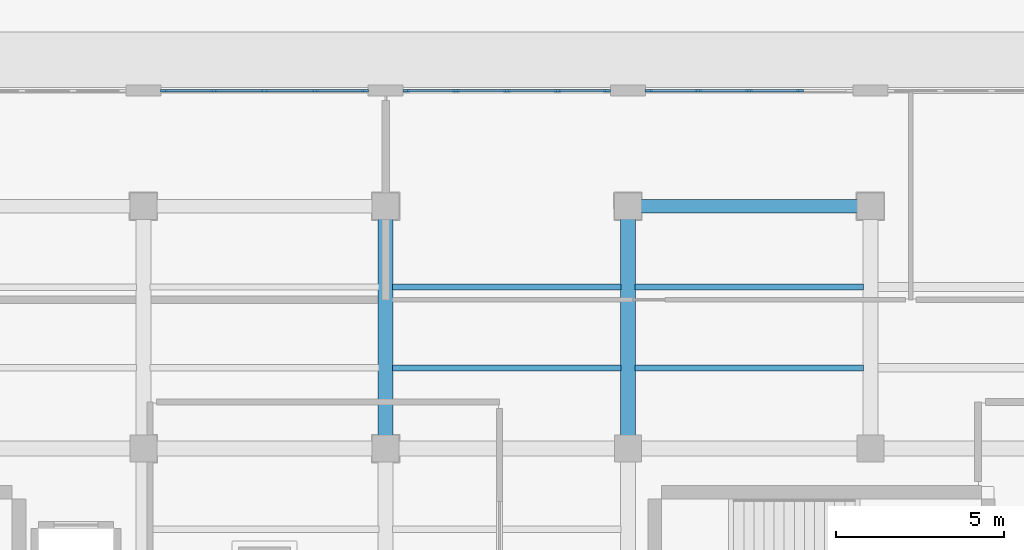
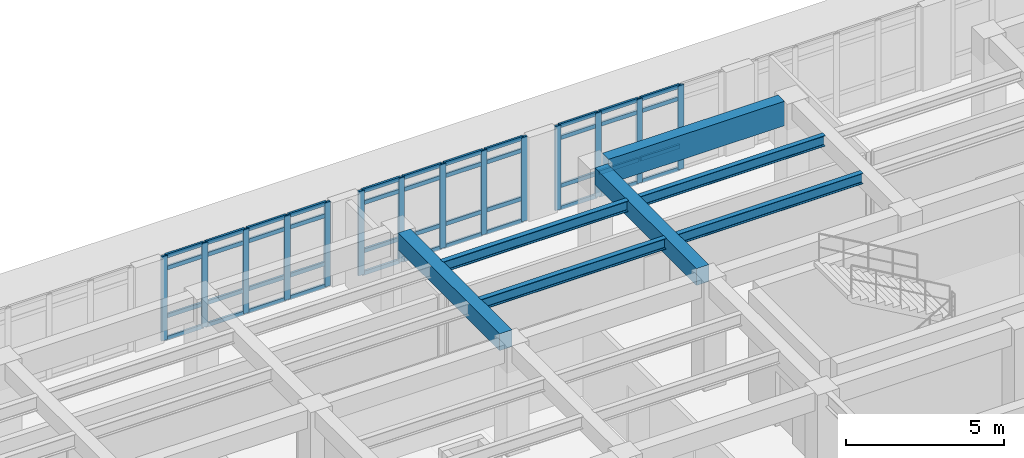
# One storey, part 8 of 67: 58 members, 7 beams, 3 elements without a shape of their own.
"""IFC4 building model written with IfcOpenShell, lengths in metres."""

from ifc_helpers import new_model, si_unit, direction, frame, origin, origin_2d, place, context, subcontext, project, spatial, rectangle, i_section, extrude, material, layer, layer_set, material_profile, profile_set, type_object, element, aggregate, save


model = new_model("IFC4")

# Units and contexts
model_context = context("Model", 3, precision=1e-05, world=origin(), true_north=direction((0.0, 1.0)))
body_context = subcontext(model_context, "Body", "Model", "MODEL_VIEW")
ifc_project = project(units=[si_unit("LENGTHUNIT", "METRE"), si_unit("AREAUNIT", "SQUARE_METRE"), si_unit("VOLUMEUNIT", "CUBIC_METRE"), si_unit("PLANEANGLEUNIT", "RADIAN"), si_unit("MASSUNIT", "GRAM", prefix="KILO")], contexts=[model_context])

# Site, building, storey
site_placement = place(None, origin())
site = spatial("IfcSite", under=ifc_project, at=site_placement, CompositionType="ELEMENT")
building_placement = place(site_placement, origin())
building = spatial("IfcBuilding", under=site, at=building_placement, Name="Solenvale Faculty of Natural Sciences", CompositionType="ELEMENT")
storey_placement = place(building_placement, frame((0.0, 0.0, 13.5)))
storey = spatial("IfcBuildingStorey", under=building, at=storey_placement, Name="L03", CompositionType="ELEMENT", Elevation=13.5)

# Beams
ifc_material_1 = material(Name="Concrete 40 MPa", Category="concrete")
ifc_material_profile_1 = material_profile(ifc_material_1, rectangle(XDim=0.449951171875, YDim=0.64990234375, at=origin_2d()), Name="RC-BM-450x650")
ifc_profile_set_1 = profile_set([ifc_material_profile_1], Name="Concrete 40 MPa")
beam_type_1 = type_object("IfcBeamType", Name="BM-RC-450x650", PredefinedType="BEAM", material=ifc_profile_set_1)
for number, where, z_axis, x_axis, name in (
    (1, (86.39990234375, 29.179931640625, 3.89501953125), (0.0, 1.0, 0.0), (-1.0, 0.0, 0.0), "L03 Y-Girder X86.4 (28.8..36.0)"),
    (2, (93.60009765625, 29.179931640625, 3.89501953125), (0.0, 1.0, 0.0), (-1.0, 0.0, 0.0), "L03 Y-Girder X93.6 (28.8..36.0)"),
):
    element("IfcBeam", number, at=place(storey_placement, frame(where, z_axis=z_axis, x_axis=x_axis)), inside=storey, type_object=beam_type_1, Name=name, PredefinedType="BEAM", context=body_context, shape_type="SweptSolid", body=[
        extrude(rectangle(XDim=0.449951171875, YDim=0.64990234375, at=origin_2d()), origin(), (0.0, 0.0, 1.0), 6.440185546875),
    ])
ifc_material_2 = material(Name="Architectural bronze concrete 40 MPa", Category="concrete")
ifc_material_profile_2 = material_profile(ifc_material_2, rectangle(XDim=0.39990234375, YDim=0.949951171875, at=origin_2d()), Name="RC-SPN-400x950")
ifc_profile_set_2 = profile_set([ifc_material_profile_2], Name="Architectural bronze concrete 40 MPa")
beam_type_2 = type_object("IfcBeamType", Name="BM-SPN-BRZ-950", PredefinedType="SPANDREL", material=ifc_profile_set_2)
beam_placement = place(storey_placement, frame((93.97998046875, 36.0, 3.7451171875), z_axis=(1.0, 0.0, 0.0), x_axis=(0.0, 1.0, 0.0)))
element("IfcBeam", 3, at=beam_placement, inside=storey, type_object=beam_type_2, Name="L04 Sliding-Tray North Bronze Fascia 6", PredefinedType="SPANDREL", context=body_context, shape_type="SweptSolid", body=[
    extrude(rectangle(XDim=0.39990234375, YDim=0.949951171875, at=origin_2d()), origin(), (0.0, 0.0, 1.0), 6.43994140625),
])
ifc_material_3 = material(Name="Steel S355", Category="steel")
ifc_material_profile_3 = material_profile(ifc_material_3, i_section(OverallWidth=0.178955078125, OverallDepth=0.409912109375, WebThickness=0.0087890625, FlangeThickness=0.014404296875, FilletRadius=0.01611328125, at=origin_2d()), Name="W410x67")
ifc_profile_set_3 = profile_set([ifc_material_profile_3], Name="Steel S355")
beam_type_3 = type_object("IfcBeamType", Name="BM-STL-W410x67", PredefinedType="JOIST", material=ifc_profile_set_3)
for number, where, z_axis, x_axis, name in (
    (4, (93.804931640625, 31.199951171875, 4.014892578125), (1.0, 0.0, 0.0), (0.0, 1.0, 0.0), "L03 Composite Floor Joist (14,5).1"),
    (5, (93.804931640625, 33.60009765625, 4.014892578125), (1.0, 0.0, 0.0), (0.0, 1.0, 0.0), "L03 Composite Floor Joist (14,5).2"),
):
    element("IfcBeam", number, at=place(storey_placement, frame(where, z_axis=z_axis, x_axis=x_axis)), inside=storey, type_object=beam_type_3, Name=name, PredefinedType="JOIST", context=body_context, shape_type="SweptSolid", body=[
        extrude(i_section(OverallWidth=0.178955078125, OverallDepth=0.409912109375, WebThickness=0.0087890625, FlangeThickness=0.014404296875, FilletRadius=0.01611328125, at=origin_2d()), origin(), (0.0, 0.0, 1.0), 6.7900390625),
    ])
ifc_material_profile_4 = material_profile(ifc_material_3, i_section(OverallWidth=0.180908203125, OverallDepth=0.4169921875, WebThickness=0.010986328125, FlangeThickness=0.018310546875, FilletRadius=0.01611328125, at=origin_2d()), Name="W410x85")
ifc_profile_set_4 = profile_set([ifc_material_profile_4], Name="Steel S355")
beam_type_4 = type_object("IfcBeamType", Name="BM-STL-W410x85", PredefinedType="JOIST", material=ifc_profile_set_4)
for number, where, z_axis, x_axis, name in (
    (6, (86.60498046875, 31.199951171875, 4.011474609375), (1.0, 0.0, 0.0), (0.0, 1.0, 0.0), "L03 Composite Floor Joist (13,5).1"),
    (7, (86.60498046875, 33.60009765625, 4.011474609375), (1.0, 0.0, 0.0), (0.0, 1.0, 0.0), "L03 Composite Floor Joist (13,5).2"),
):
    element("IfcBeam", number, at=place(storey_placement, frame(where, z_axis=z_axis, x_axis=x_axis)), inside=storey, type_object=beam_type_4, Name=name, PredefinedType="JOIST", context=body_context, shape_type="SweptSolid", body=[
        extrude(i_section(OverallWidth=0.180908203125, OverallDepth=0.4169921875, WebThickness=0.010986328125, FlangeThickness=0.018310546875, FilletRadius=0.01611328125, at=origin_2d()), origin(), (0.0, 0.0, 1.0), 6.7900390625),
    ])

# Curtain wall, members
ifc_material_4 = material(Name="Anodised bronze aluminium", Category="aluminium")
ifc_layer = layer(ifc_material_4, 0.18994140625)
ifc_layer_set = layer_set([ifc_layer], Name="Anodised bronze aluminium")
curtain_wall_type = type_object("IfcCurtainWallType", Name="CW-TRAY-REC", PredefinedType="USERDEFINED", material=ifc_layer_set)
curtain_wall_1_placement = place(storey_placement, origin())
curtain_wall_1 = element("IfcCurtainWall", 8, at=curtain_wall_1_placement, inside=storey, type_object=curtain_wall_type, Name="L03 Curtain Wall CW-L03-P1-E8-B3", ObjectType="UNITISED CURTAIN WALL", PredefinedType="USERDEFINED")
ifc_material_profile_5 = material_profile(ifc_material_4, rectangle(XDim=0.074951171875, YDim=0.2099609375, at=origin_2d()), Name="ALU-MUL-75x210")
ifc_profile_set_5 = profile_set([ifc_material_profile_5], Name="Anodised bronze aluminium")
member_type_1 = type_object("IfcMemberType", Name="CWM-ALU-75x210", PredefinedType="MULLION", material=ifc_profile_set_5)
member_1_placement = place(storey_placement, frame((98.7099609375, 39.4375, 0.0), z_axis=(0.0, 0.0, 1.0), x_axis=(0.0, -1.0, 0.0)))
member_1 = element("IfcMember", 9, at=member_1_placement, type_object=member_type_1, Name="CW-02 mullion 2", PredefinedType="MULLION", context=body_context, shape_type="SweptSolid", body=[
    extrude(rectangle(XDim=0.074951171875, YDim=0.2099609375, at=origin_2d()), origin(), (0.0, 0.0, 1.0), 3.260009765625),
])
member_2_placement = place(storey_placement, frame((97.199951171875, 39.4375, 0.0), z_axis=(0.0, 0.0, 1.0), x_axis=(0.0, -1.0, 0.0)))
member_2 = element("IfcMember", 10, at=member_2_placement, type_object=member_type_1, Name="CW-02 mullion 3", PredefinedType="MULLION", context=body_context, shape_type="SweptSolid", body=[
    extrude(rectangle(XDim=0.074951171875, YDim=0.2099609375, at=origin_2d()), origin(), (0.0, 0.0, 1.0), 3.260009765625),
])
member_3_placement = place(storey_placement, frame((95.68994140625, 39.4375, 0.0), z_axis=(0.0, 0.0, 1.0), x_axis=(0.0, -1.0, 0.0)))
member_3 = element("IfcMember", 11, at=member_3_placement, type_object=member_type_1, Name="CW-02 mullion 4", PredefinedType="MULLION", context=body_context, shape_type="SweptSolid", body=[
    extrude(rectangle(XDim=0.074951171875, YDim=0.2099609375, at=origin_2d()), origin(), (0.0, 0.0, 1.0), 3.260009765625),
])
member_4_placement = place(storey_placement, frame((94.217529296875, 39.4375, 0.0), z_axis=(0.0, 0.0, 1.0), x_axis=(0.0, -1.0, 0.0)))
member_4 = element("IfcMember", 12, at=member_4_placement, type_object=member_type_1, Name="CW-02 mullion 5", PredefinedType="MULLION", context=body_context, shape_type="SweptSolid", body=[
    extrude(rectangle(XDim=0.074951171875, YDim=0.2099609375, at=origin_2d()), origin(), (0.0, 0.0, 1.0), 3.260009765625),
])

curtain_wall_2_placement = place(storey_placement, origin())
curtain_wall_2 = element("IfcCurtainWall", 13, at=curtain_wall_2_placement, inside=storey, type_object=curtain_wall_type, Name="L03 Curtain Wall CW-L03-P1-E8-B4", ObjectType="UNITISED CURTAIN WALL", PredefinedType="USERDEFINED")
member_5_placement = place(storey_placement, frame((92.982421875, 39.4375, 0.0), z_axis=(0.0, 0.0, 1.0), x_axis=(0.0, -1.0, 0.0)))
member_5 = element("IfcMember", 14, at=member_5_placement, type_object=member_type_1, Name="CW-02 mullion 1", PredefinedType="MULLION", context=body_context, shape_type="SweptSolid", body=[
    extrude(rectangle(XDim=0.074951171875, YDim=0.2099609375, at=origin_2d()), origin(), (0.0, 0.0, 1.0), 3.260009765625),
])
member_6_placement = place(storey_placement, frame((91.510009765625, 39.4375, 0.0), z_axis=(0.0, 0.0, 1.0), x_axis=(0.0, -1.0, 0.0)))
member_6 = element("IfcMember", 15, at=member_6_placement, type_object=member_type_1, Name="CW-02 mullion 2", PredefinedType="MULLION", context=body_context, shape_type="SweptSolid", body=[
    extrude(rectangle(XDim=0.074951171875, YDim=0.2099609375, at=origin_2d()), origin(), (0.0, 0.0, 1.0), 3.260009765625),
])
member_7_placement = place(storey_placement, frame((90.0, 39.4375, 0.0), z_axis=(0.0, 0.0, 1.0), x_axis=(0.0, -1.0, 0.0)))
member_7 = element("IfcMember", 16, at=member_7_placement, type_object=member_type_1, Name="CW-02 mullion 3", PredefinedType="MULLION", context=body_context, shape_type="SweptSolid", body=[
    extrude(rectangle(XDim=0.074951171875, YDim=0.2099609375, at=origin_2d()), origin(), (0.0, 0.0, 1.0), 3.260009765625),
])
member_8_placement = place(storey_placement, frame((88.489990234375, 39.4375, 0.0), z_axis=(0.0, 0.0, 1.0), x_axis=(0.0, -1.0, 0.0)))
member_8 = element("IfcMember", 17, at=member_8_placement, type_object=member_type_1, Name="CW-02 mullion 4", PredefinedType="MULLION", context=body_context, shape_type="SweptSolid", body=[
    extrude(rectangle(XDim=0.074951171875, YDim=0.2099609375, at=origin_2d()), origin(), (0.0, 0.0, 1.0), 3.260009765625),
])
member_9_placement = place(storey_placement, frame((87.017578125, 39.4375, 0.0), z_axis=(0.0, 0.0, 1.0), x_axis=(0.0, -1.0, 0.0)))
member_9 = element("IfcMember", 18, at=member_9_placement, type_object=member_type_1, Name="CW-02 mullion 5", PredefinedType="MULLION", context=body_context, shape_type="SweptSolid", body=[
    extrude(rectangle(XDim=0.074951171875, YDim=0.2099609375, at=origin_2d()), origin(), (0.0, 0.0, 1.0), 3.260009765625),
])

curtain_wall_3_placement = place(storey_placement, origin())
curtain_wall_3 = element("IfcCurtainWall", 19, at=curtain_wall_3_placement, inside=storey, type_object=curtain_wall_type, Name="L03 Curtain Wall CW-L03-P1-E8-B5", ObjectType="UNITISED CURTAIN WALL", PredefinedType="USERDEFINED")
member_10_placement = place(storey_placement, frame((85.782470703125, 39.4375, 0.0), z_axis=(0.0, 0.0, 1.0), x_axis=(0.0, -1.0, 0.0)))
member_10 = element("IfcMember", 20, at=member_10_placement, type_object=member_type_1, Name="CW-02 mullion 1", PredefinedType="MULLION", context=body_context, shape_type="SweptSolid", body=[
    extrude(rectangle(XDim=0.074951171875, YDim=0.2099609375, at=origin_2d()), origin(), (0.0, 0.0, 1.0), 3.260009765625),
])
member_11_placement = place(storey_placement, frame((84.31005859375, 39.4375, 0.0), z_axis=(0.0, 0.0, 1.0), x_axis=(0.0, -1.0, 0.0)))
member_11 = element("IfcMember", 21, at=member_11_placement, type_object=member_type_1, Name="CW-02 mullion 2", PredefinedType="MULLION", context=body_context, shape_type="SweptSolid", body=[
    extrude(rectangle(XDim=0.074951171875, YDim=0.2099609375, at=origin_2d()), origin(), (0.0, 0.0, 1.0), 3.260009765625),
])
member_12_placement = place(storey_placement, frame((82.800048828125, 39.4375, 0.0), z_axis=(0.0, 0.0, 1.0), x_axis=(0.0, -1.0, 0.0)))
member_12 = element("IfcMember", 22, at=member_12_placement, type_object=member_type_1, Name="CW-02 mullion 3", PredefinedType="MULLION", context=body_context, shape_type="SweptSolid", body=[
    extrude(rectangle(XDim=0.074951171875, YDim=0.2099609375, at=origin_2d()), origin(), (0.0, 0.0, 1.0), 3.260009765625),
])
member_13_placement = place(storey_placement, frame((81.2900390625, 39.4375, 0.0), z_axis=(0.0, 0.0, 1.0), x_axis=(0.0, -1.0, 0.0)))
member_13 = element("IfcMember", 23, at=member_13_placement, type_object=member_type_1, Name="CW-02 mullion 4", PredefinedType="MULLION", context=body_context, shape_type="SweptSolid", body=[
    extrude(rectangle(XDim=0.074951171875, YDim=0.2099609375, at=origin_2d()), origin(), (0.0, 0.0, 1.0), 3.260009765625),
])
member_14_placement = place(storey_placement, frame((79.8173828125, 39.4375, 0.0), z_axis=(0.0, 0.0, 1.0), x_axis=(0.0, -1.0, 0.0)))
member_14 = element("IfcMember", 24, at=member_14_placement, type_object=member_type_1, Name="CW-02 mullion 5", PredefinedType="MULLION", context=body_context, shape_type="SweptSolid", body=[
    extrude(rectangle(XDim=0.074951171875, YDim=0.2099609375, at=origin_2d()), origin(), (0.0, 0.0, 1.0), 3.260009765625),
])

# Member
ifc_material_profile_6 = material_profile(ifc_material_4, rectangle(XDim=0.074951171875, YDim=0.155029296875, at=origin_2d()), Name="ALU-TRN-75x155")
ifc_profile_set_6 = profile_set([ifc_material_profile_6], Name="Anodised bronze aluminium")
member_type_2 = type_object("IfcMemberType", Name="CWT-ALU-75x155", PredefinedType="USERDEFINED", material=ifc_profile_set_6)
member_15_placement = place(storey_placement, frame((98.672607421875, 39.4375, 0.03759765625), z_axis=(-1.0, 0.0, 0.0), x_axis=(0.0, -1.0, 0.0)))
member_15 = element("IfcMember", 25, at=member_15_placement, type_object=member_type_2, Name="CW-02 transom 2.1", ObjectType="TRANSOM", PredefinedType="USERDEFINED", context=body_context, shape_type="SweptSolid", body=[
    extrude(rectangle(XDim=0.074951171875, YDim=0.155029296875, at=origin_2d()), origin(), (0.0, 0.0, 1.0), 1.43505859375),
])

member_16_placement = place(storey_placement, frame((98.672607421875, 39.4375, 0.89990234375), z_axis=(-1.0, 0.0, 0.0), x_axis=(0.0, -1.0, 0.0)))
member_16 = element("IfcMember", 26, at=member_16_placement, type_object=member_type_2, Name="CW-02 transom 2.2", ObjectType="TRANSOM", PredefinedType="USERDEFINED", context=body_context, shape_type="SweptSolid", body=[
    extrude(rectangle(XDim=0.074951171875, YDim=0.155029296875, at=origin_2d()), origin(), (0.0, 0.0, 1.0), 1.43505859375),
])

member_17_placement = place(storey_placement, frame((98.672607421875, 39.4375, 2.760009765625), z_axis=(-1.0, 0.0, 0.0), x_axis=(0.0, -1.0, 0.0)))
member_17 = element("IfcMember", 27, at=member_17_placement, type_object=member_type_2, Name="CW-02 transom 2.3", ObjectType="TRANSOM", PredefinedType="USERDEFINED", context=body_context, shape_type="SweptSolid", body=[
    extrude(rectangle(XDim=0.074951171875, YDim=0.155029296875, at=origin_2d()), origin(), (0.0, 0.0, 1.0), 1.43505859375),
])

member_18_placement = place(storey_placement, frame((98.672607421875, 39.4375, 3.222412109375), z_axis=(-1.0, 0.0, 0.0), x_axis=(0.0, -1.0, 0.0)))
member_18 = element("IfcMember", 28, at=member_18_placement, type_object=member_type_2, Name="CW-02 transom 2.4", ObjectType="TRANSOM", PredefinedType="USERDEFINED", context=body_context, shape_type="SweptSolid", body=[
    extrude(rectangle(XDim=0.074951171875, YDim=0.155029296875, at=origin_2d()), origin(), (0.0, 0.0, 1.0), 1.43505859375),
])

member_19_placement = place(storey_placement, frame((97.16259765625, 39.4375, 0.03759765625), z_axis=(-1.0, 0.0, 0.0), x_axis=(0.0, -1.0, 0.0)))
member_19 = element("IfcMember", 29, at=member_19_placement, type_object=member_type_2, Name="CW-02 transom 3.1", ObjectType="TRANSOM", PredefinedType="USERDEFINED", context=body_context, shape_type="SweptSolid", body=[
    extrude(rectangle(XDim=0.074951171875, YDim=0.155029296875, at=origin_2d()), origin(), (0.0, 0.0, 1.0), 1.43505859375),
])

member_20_placement = place(storey_placement, frame((97.16259765625, 39.4375, 0.89990234375), z_axis=(-1.0, 0.0, 0.0), x_axis=(0.0, -1.0, 0.0)))
member_20 = element("IfcMember", 30, at=member_20_placement, type_object=member_type_2, Name="CW-02 transom 3.2", ObjectType="TRANSOM", PredefinedType="USERDEFINED", context=body_context, shape_type="SweptSolid", body=[
    extrude(rectangle(XDim=0.074951171875, YDim=0.155029296875, at=origin_2d()), origin(), (0.0, 0.0, 1.0), 1.43505859375),
])

member_21_placement = place(storey_placement, frame((97.16259765625, 39.4375, 2.760009765625), z_axis=(-1.0, 0.0, 0.0), x_axis=(0.0, -1.0, 0.0)))
member_21 = element("IfcMember", 31, at=member_21_placement, type_object=member_type_2, Name="CW-02 transom 3.3", ObjectType="TRANSOM", PredefinedType="USERDEFINED", context=body_context, shape_type="SweptSolid", body=[
    extrude(rectangle(XDim=0.074951171875, YDim=0.155029296875, at=origin_2d()), origin(), (0.0, 0.0, 1.0), 1.43505859375),
])

member_22_placement = place(storey_placement, frame((97.16259765625, 39.4375, 3.222412109375), z_axis=(-1.0, 0.0, 0.0), x_axis=(0.0, -1.0, 0.0)))
member_22 = element("IfcMember", 32, at=member_22_placement, type_object=member_type_2, Name="CW-02 transom 3.4", ObjectType="TRANSOM", PredefinedType="USERDEFINED", context=body_context, shape_type="SweptSolid", body=[
    extrude(rectangle(XDim=0.074951171875, YDim=0.155029296875, at=origin_2d()), origin(), (0.0, 0.0, 1.0), 1.43505859375),
])

member_23_placement = place(storey_placement, frame((95.652587890625, 39.4375, 0.03759765625), z_axis=(-1.0, 0.0, 0.0), x_axis=(0.0, -1.0, 0.0)))
member_23 = element("IfcMember", 33, at=member_23_placement, type_object=member_type_2, Name="CW-02 transom 4.1", ObjectType="TRANSOM", PredefinedType="USERDEFINED", context=body_context, shape_type="SweptSolid", body=[
    extrude(rectangle(XDim=0.074951171875, YDim=0.155029296875, at=origin_2d()), origin(), (0.0, 0.0, 1.0), 1.397705078125),
])

member_24_placement = place(storey_placement, frame((95.652587890625, 39.4375, 0.89990234375), z_axis=(-1.0, 0.0, 0.0), x_axis=(0.0, -1.0, 0.0)))
member_24 = element("IfcMember", 34, at=member_24_placement, type_object=member_type_2, Name="CW-02 transom 4.2", ObjectType="TRANSOM", PredefinedType="USERDEFINED", context=body_context, shape_type="SweptSolid", body=[
    extrude(rectangle(XDim=0.074951171875, YDim=0.155029296875, at=origin_2d()), origin(), (0.0, 0.0, 1.0), 1.397705078125),
])

member_25_placement = place(storey_placement, frame((95.652587890625, 39.4375, 2.760009765625), z_axis=(-1.0, 0.0, 0.0), x_axis=(0.0, -1.0, 0.0)))
member_25 = element("IfcMember", 35, at=member_25_placement, type_object=member_type_2, Name="CW-02 transom 4.3", ObjectType="TRANSOM", PredefinedType="USERDEFINED", context=body_context, shape_type="SweptSolid", body=[
    extrude(rectangle(XDim=0.074951171875, YDim=0.155029296875, at=origin_2d()), origin(), (0.0, 0.0, 1.0), 1.397705078125),
])

member_26_placement = place(storey_placement, frame((95.652587890625, 39.4375, 3.222412109375), z_axis=(-1.0, 0.0, 0.0), x_axis=(0.0, -1.0, 0.0)))
member_26 = element("IfcMember", 36, at=member_26_placement, type_object=member_type_2, Name="CW-02 transom 4.4", ObjectType="TRANSOM", PredefinedType="USERDEFINED", context=body_context, shape_type="SweptSolid", body=[
    extrude(rectangle(XDim=0.074951171875, YDim=0.155029296875, at=origin_2d()), origin(), (0.0, 0.0, 1.0), 1.397705078125),
])

aggregate(curtain_wall_1, [member_1, member_2, member_3, member_4, member_15, member_16, member_17, member_18, member_19, member_20, member_21, member_22, member_23, member_24, member_25, member_26])

member_27_placement = place(storey_placement, frame((92.945068359375, 39.4375, 0.03759765625), z_axis=(-1.0, 0.0, 0.0), x_axis=(0.0, -1.0, 0.0)))
member_27 = element("IfcMember", 37, at=member_27_placement, type_object=member_type_2, Name="CW-02 transom 1.1", ObjectType="TRANSOM", PredefinedType="USERDEFINED", context=body_context, shape_type="SweptSolid", body=[
    extrude(rectangle(XDim=0.074951171875, YDim=0.155029296875, at=origin_2d()), origin(), (0.0, 0.0, 1.0), 1.3974609375),
])

member_28_placement = place(storey_placement, frame((92.945068359375, 39.4375, 0.89990234375), z_axis=(-1.0, 0.0, 0.0), x_axis=(0.0, -1.0, 0.0)))
member_28 = element("IfcMember", 38, at=member_28_placement, type_object=member_type_2, Name="CW-02 transom 1.2", ObjectType="TRANSOM", PredefinedType="USERDEFINED", context=body_context, shape_type="SweptSolid", body=[
    extrude(rectangle(XDim=0.074951171875, YDim=0.155029296875, at=origin_2d()), origin(), (0.0, 0.0, 1.0), 1.3974609375),
])

member_29_placement = place(storey_placement, frame((92.945068359375, 39.4375, 2.760009765625), z_axis=(-1.0, 0.0, 0.0), x_axis=(0.0, -1.0, 0.0)))
member_29 = element("IfcMember", 39, at=member_29_placement, type_object=member_type_2, Name="CW-02 transom 1.3", ObjectType="TRANSOM", PredefinedType="USERDEFINED", context=body_context, shape_type="SweptSolid", body=[
    extrude(rectangle(XDim=0.074951171875, YDim=0.155029296875, at=origin_2d()), origin(), (0.0, 0.0, 1.0), 1.3974609375),
])

member_30_placement = place(storey_placement, frame((92.945068359375, 39.4375, 3.222412109375), z_axis=(-1.0, 0.0, 0.0), x_axis=(0.0, -1.0, 0.0)))
member_30 = element("IfcMember", 40, at=member_30_placement, type_object=member_type_2, Name="CW-02 transom 1.4", ObjectType="TRANSOM", PredefinedType="USERDEFINED", context=body_context, shape_type="SweptSolid", body=[
    extrude(rectangle(XDim=0.074951171875, YDim=0.155029296875, at=origin_2d()), origin(), (0.0, 0.0, 1.0), 1.3974609375),
])

member_31_placement = place(storey_placement, frame((91.472412109375, 39.4375, 0.03759765625), z_axis=(-1.0, 0.0, 0.0), x_axis=(0.0, -1.0, 0.0)))
member_31 = element("IfcMember", 41, at=member_31_placement, type_object=member_type_2, Name="CW-02 transom 2.1", ObjectType="TRANSOM", PredefinedType="USERDEFINED", context=body_context, shape_type="SweptSolid", body=[
    extrude(rectangle(XDim=0.074951171875, YDim=0.155029296875, at=origin_2d()), origin(), (0.0, 0.0, 1.0), 1.434814453125),
])

member_32_placement = place(storey_placement, frame((91.472412109375, 39.4375, 0.89990234375), z_axis=(-1.0, 0.0, 0.0), x_axis=(0.0, -1.0, 0.0)))
member_32 = element("IfcMember", 42, at=member_32_placement, type_object=member_type_2, Name="CW-02 transom 2.2", ObjectType="TRANSOM", PredefinedType="USERDEFINED", context=body_context, shape_type="SweptSolid", body=[
    extrude(rectangle(XDim=0.074951171875, YDim=0.155029296875, at=origin_2d()), origin(), (0.0, 0.0, 1.0), 1.434814453125),
])

member_33_placement = place(storey_placement, frame((91.472412109375, 39.4375, 2.760009765625), z_axis=(-1.0, 0.0, 0.0), x_axis=(0.0, -1.0, 0.0)))
member_33 = element("IfcMember", 43, at=member_33_placement, type_object=member_type_2, Name="CW-02 transom 2.3", ObjectType="TRANSOM", PredefinedType="USERDEFINED", context=body_context, shape_type="SweptSolid", body=[
    extrude(rectangle(XDim=0.074951171875, YDim=0.155029296875, at=origin_2d()), origin(), (0.0, 0.0, 1.0), 1.434814453125),
])

member_34_placement = place(storey_placement, frame((91.472412109375, 39.4375, 3.222412109375), z_axis=(-1.0, 0.0, 0.0), x_axis=(0.0, -1.0, 0.0)))
member_34 = element("IfcMember", 44, at=member_34_placement, type_object=member_type_2, Name="CW-02 transom 2.4", ObjectType="TRANSOM", PredefinedType="USERDEFINED", context=body_context, shape_type="SweptSolid", body=[
    extrude(rectangle(XDim=0.074951171875, YDim=0.155029296875, at=origin_2d()), origin(), (0.0, 0.0, 1.0), 1.434814453125),
])

member_35_placement = place(storey_placement, frame((89.96240234375, 39.4375, 0.03759765625), z_axis=(-1.0, 0.0, 0.0), x_axis=(0.0, -1.0, 0.0)))
member_35 = element("IfcMember", 45, at=member_35_placement, type_object=member_type_2, Name="CW-02 transom 3.1", ObjectType="TRANSOM", PredefinedType="USERDEFINED", context=body_context, shape_type="SweptSolid", body=[
    extrude(rectangle(XDim=0.074951171875, YDim=0.155029296875, at=origin_2d()), origin(), (0.0, 0.0, 1.0), 1.434814453125),
])

member_36_placement = place(storey_placement, frame((89.96240234375, 39.4375, 0.89990234375), z_axis=(-1.0, 0.0, 0.0), x_axis=(0.0, -1.0, 0.0)))
member_36 = element("IfcMember", 46, at=member_36_placement, type_object=member_type_2, Name="CW-02 transom 3.2", ObjectType="TRANSOM", PredefinedType="USERDEFINED", context=body_context, shape_type="SweptSolid", body=[
    extrude(rectangle(XDim=0.074951171875, YDim=0.155029296875, at=origin_2d()), origin(), (0.0, 0.0, 1.0), 1.434814453125),
])

member_37_placement = place(storey_placement, frame((89.96240234375, 39.4375, 2.760009765625), z_axis=(-1.0, 0.0, 0.0), x_axis=(0.0, -1.0, 0.0)))
member_37 = element("IfcMember", 47, at=member_37_placement, type_object=member_type_2, Name="CW-02 transom 3.3", ObjectType="TRANSOM", PredefinedType="USERDEFINED", context=body_context, shape_type="SweptSolid", body=[
    extrude(rectangle(XDim=0.074951171875, YDim=0.155029296875, at=origin_2d()), origin(), (0.0, 0.0, 1.0), 1.434814453125),
])

member_38_placement = place(storey_placement, frame((89.96240234375, 39.4375, 3.222412109375), z_axis=(-1.0, 0.0, 0.0), x_axis=(0.0, -1.0, 0.0)))
member_38 = element("IfcMember", 48, at=member_38_placement, type_object=member_type_2, Name="CW-02 transom 3.4", ObjectType="TRANSOM", PredefinedType="USERDEFINED", context=body_context, shape_type="SweptSolid", body=[
    extrude(rectangle(XDim=0.074951171875, YDim=0.155029296875, at=origin_2d()), origin(), (0.0, 0.0, 1.0), 1.434814453125),
])

member_39_placement = place(storey_placement, frame((88.452392578125, 39.4375, 0.03759765625), z_axis=(-1.0, 0.0, 0.0), x_axis=(0.0, -1.0, 0.0)))
member_39 = element("IfcMember", 49, at=member_39_placement, type_object=member_type_2, Name="CW-02 transom 4.1", ObjectType="TRANSOM", PredefinedType="USERDEFINED", context=body_context, shape_type="SweptSolid", body=[
    extrude(rectangle(XDim=0.074951171875, YDim=0.155029296875, at=origin_2d()), origin(), (0.0, 0.0, 1.0), 1.3974609375),
])

member_40_placement = place(storey_placement, frame((88.452392578125, 39.4375, 0.89990234375), z_axis=(-1.0, 0.0, 0.0), x_axis=(0.0, -1.0, 0.0)))
member_40 = element("IfcMember", 50, at=member_40_placement, type_object=member_type_2, Name="CW-02 transom 4.2", ObjectType="TRANSOM", PredefinedType="USERDEFINED", context=body_context, shape_type="SweptSolid", body=[
    extrude(rectangle(XDim=0.074951171875, YDim=0.155029296875, at=origin_2d()), origin(), (0.0, 0.0, 1.0), 1.3974609375),
])

member_41_placement = place(storey_placement, frame((88.452392578125, 39.4375, 2.760009765625), z_axis=(-1.0, 0.0, 0.0), x_axis=(0.0, -1.0, 0.0)))
member_41 = element("IfcMember", 51, at=member_41_placement, type_object=member_type_2, Name="CW-02 transom 4.3", ObjectType="TRANSOM", PredefinedType="USERDEFINED", context=body_context, shape_type="SweptSolid", body=[
    extrude(rectangle(XDim=0.074951171875, YDim=0.155029296875, at=origin_2d()), origin(), (0.0, 0.0, 1.0), 1.3974609375),
])

member_42_placement = place(storey_placement, frame((88.452392578125, 39.4375, 3.222412109375), z_axis=(-1.0, 0.0, 0.0), x_axis=(0.0, -1.0, 0.0)))
member_42 = element("IfcMember", 52, at=member_42_placement, type_object=member_type_2, Name="CW-02 transom 4.4", ObjectType="TRANSOM", PredefinedType="USERDEFINED", context=body_context, shape_type="SweptSolid", body=[
    extrude(rectangle(XDim=0.074951171875, YDim=0.155029296875, at=origin_2d()), origin(), (0.0, 0.0, 1.0), 1.3974609375),
])

aggregate(curtain_wall_2, [member_5, member_6, member_7, member_8, member_9, member_27, member_28, member_29, member_30, member_31, member_32, member_33, member_34, member_35, member_36, member_37, member_38, member_39, member_40, member_41, member_42])

member_43_placement = place(storey_placement, frame((85.7451171875, 39.4375, 0.03759765625), z_axis=(-1.0, 0.0, 0.0), x_axis=(0.0, -1.0, 0.0)))
member_43 = element("IfcMember", 53, at=member_43_placement, type_object=member_type_2, Name="CW-02 transom 1.1", ObjectType="TRANSOM", PredefinedType="USERDEFINED", context=body_context, shape_type="SweptSolid", body=[
    extrude(rectangle(XDim=0.074951171875, YDim=0.155029296875, at=origin_2d()), origin(), (0.0, 0.0, 1.0), 1.397705078125),
])

member_44_placement = place(storey_placement, frame((85.7451171875, 39.4375, 0.89990234375), z_axis=(-1.0, 0.0, 0.0), x_axis=(0.0, -1.0, 0.0)))
member_44 = element("IfcMember", 54, at=member_44_placement, type_object=member_type_2, Name="CW-02 transom 1.2", ObjectType="TRANSOM", PredefinedType="USERDEFINED", context=body_context, shape_type="SweptSolid", body=[
    extrude(rectangle(XDim=0.074951171875, YDim=0.155029296875, at=origin_2d()), origin(), (0.0, 0.0, 1.0), 1.397705078125),
])

member_45_placement = place(storey_placement, frame((85.7451171875, 39.4375, 2.760009765625), z_axis=(-1.0, 0.0, 0.0), x_axis=(0.0, -1.0, 0.0)))
member_45 = element("IfcMember", 55, at=member_45_placement, type_object=member_type_2, Name="CW-02 transom 1.3", ObjectType="TRANSOM", PredefinedType="USERDEFINED", context=body_context, shape_type="SweptSolid", body=[
    extrude(rectangle(XDim=0.074951171875, YDim=0.155029296875, at=origin_2d()), origin(), (0.0, 0.0, 1.0), 1.397705078125),
])

member_46_placement = place(storey_placement, frame((85.7451171875, 39.4375, 3.222412109375), z_axis=(-1.0, 0.0, 0.0), x_axis=(0.0, -1.0, 0.0)))
member_46 = element("IfcMember", 56, at=member_46_placement, type_object=member_type_2, Name="CW-02 transom 1.4", ObjectType="TRANSOM", PredefinedType="USERDEFINED", context=body_context, shape_type="SweptSolid", body=[
    extrude(rectangle(XDim=0.074951171875, YDim=0.155029296875, at=origin_2d()), origin(), (0.0, 0.0, 1.0), 1.397705078125),
])

member_47_placement = place(storey_placement, frame((84.2724609375, 39.4375, 0.03759765625), z_axis=(-1.0, 0.0, 0.0), x_axis=(0.0, -1.0, 0.0)))
member_47 = element("IfcMember", 57, at=member_47_placement, type_object=member_type_2, Name="CW-02 transom 2.1", ObjectType="TRANSOM", PredefinedType="USERDEFINED", context=body_context, shape_type="SweptSolid", body=[
    extrude(rectangle(XDim=0.074951171875, YDim=0.155029296875, at=origin_2d()), origin(), (0.0, 0.0, 1.0), 1.43505859375),
])

member_48_placement = place(storey_placement, frame((84.2724609375, 39.4375, 0.89990234375), z_axis=(-1.0, 0.0, 0.0), x_axis=(0.0, -1.0, 0.0)))
member_48 = element("IfcMember", 58, at=member_48_placement, type_object=member_type_2, Name="CW-02 transom 2.2", ObjectType="TRANSOM", PredefinedType="USERDEFINED", context=body_context, shape_type="SweptSolid", body=[
    extrude(rectangle(XDim=0.074951171875, YDim=0.155029296875, at=origin_2d()), origin(), (0.0, 0.0, 1.0), 1.43505859375),
])

member_49_placement = place(storey_placement, frame((84.2724609375, 39.4375, 2.760009765625), z_axis=(-1.0, 0.0, 0.0), x_axis=(0.0, -1.0, 0.0)))
member_49 = element("IfcMember", 59, at=member_49_placement, type_object=member_type_2, Name="CW-02 transom 2.3", ObjectType="TRANSOM", PredefinedType="USERDEFINED", context=body_context, shape_type="SweptSolid", body=[
    extrude(rectangle(XDim=0.074951171875, YDim=0.155029296875, at=origin_2d()), origin(), (0.0, 0.0, 1.0), 1.43505859375),
])

member_50_placement = place(storey_placement, frame((84.2724609375, 39.4375, 3.222412109375), z_axis=(-1.0, 0.0, 0.0), x_axis=(0.0, -1.0, 0.0)))
member_50 = element("IfcMember", 60, at=member_50_placement, type_object=member_type_2, Name="CW-02 transom 2.4", ObjectType="TRANSOM", PredefinedType="USERDEFINED", context=body_context, shape_type="SweptSolid", body=[
    extrude(rectangle(XDim=0.074951171875, YDim=0.155029296875, at=origin_2d()), origin(), (0.0, 0.0, 1.0), 1.43505859375),
])

member_51_placement = place(storey_placement, frame((82.762451171875, 39.4375, 0.03759765625), z_axis=(-1.0, 0.0, 0.0), x_axis=(0.0, -1.0, 0.0)))
member_51 = element("IfcMember", 61, at=member_51_placement, type_object=member_type_2, Name="CW-02 transom 3.1", ObjectType="TRANSOM", PredefinedType="USERDEFINED", context=body_context, shape_type="SweptSolid", body=[
    extrude(rectangle(XDim=0.074951171875, YDim=0.155029296875, at=origin_2d()), origin(), (0.0, 0.0, 1.0), 1.43505859375),
])

member_52_placement = place(storey_placement, frame((82.762451171875, 39.4375, 0.89990234375), z_axis=(-1.0, 0.0, 0.0), x_axis=(0.0, -1.0, 0.0)))
member_52 = element("IfcMember", 62, at=member_52_placement, type_object=member_type_2, Name="CW-02 transom 3.2", ObjectType="TRANSOM", PredefinedType="USERDEFINED", context=body_context, shape_type="SweptSolid", body=[
    extrude(rectangle(XDim=0.074951171875, YDim=0.155029296875, at=origin_2d()), origin(), (0.0, 0.0, 1.0), 1.43505859375),
])

member_53_placement = place(storey_placement, frame((82.762451171875, 39.4375, 2.760009765625), z_axis=(-1.0, 0.0, 0.0), x_axis=(0.0, -1.0, 0.0)))
member_53 = element("IfcMember", 63, at=member_53_placement, type_object=member_type_2, Name="CW-02 transom 3.3", ObjectType="TRANSOM", PredefinedType="USERDEFINED", context=body_context, shape_type="SweptSolid", body=[
    extrude(rectangle(XDim=0.074951171875, YDim=0.155029296875, at=origin_2d()), origin(), (0.0, 0.0, 1.0), 1.43505859375),
])

member_54_placement = place(storey_placement, frame((82.762451171875, 39.4375, 3.222412109375), z_axis=(-1.0, 0.0, 0.0), x_axis=(0.0, -1.0, 0.0)))
member_54 = element("IfcMember", 64, at=member_54_placement, type_object=member_type_2, Name="CW-02 transom 3.4", ObjectType="TRANSOM", PredefinedType="USERDEFINED", context=body_context, shape_type="SweptSolid", body=[
    extrude(rectangle(XDim=0.074951171875, YDim=0.155029296875, at=origin_2d()), origin(), (0.0, 0.0, 1.0), 1.43505859375),
])

member_55_placement = place(storey_placement, frame((81.25244140625, 39.4375, 0.03759765625), z_axis=(-1.0, 0.0, 0.0), x_axis=(0.0, -1.0, 0.0)))
member_55 = element("IfcMember", 65, at=member_55_placement, type_object=member_type_2, Name="CW-02 transom 4.1", ObjectType="TRANSOM", PredefinedType="USERDEFINED", context=body_context, shape_type="SweptSolid", body=[
    extrude(rectangle(XDim=0.074951171875, YDim=0.155029296875, at=origin_2d()), origin(), (0.0, 0.0, 1.0), 1.3974609375),
])

member_56_placement = place(storey_placement, frame((81.25244140625, 39.4375, 0.89990234375), z_axis=(-1.0, 0.0, 0.0), x_axis=(0.0, -1.0, 0.0)))
member_56 = element("IfcMember", 66, at=member_56_placement, type_object=member_type_2, Name="CW-02 transom 4.2", ObjectType="TRANSOM", PredefinedType="USERDEFINED", context=body_context, shape_type="SweptSolid", body=[
    extrude(rectangle(XDim=0.074951171875, YDim=0.155029296875, at=origin_2d()), origin(), (0.0, 0.0, 1.0), 1.3974609375),
])

member_57_placement = place(storey_placement, frame((81.25244140625, 39.4375, 2.760009765625), z_axis=(-1.0, 0.0, 0.0), x_axis=(0.0, -1.0, 0.0)))
member_57 = element("IfcMember", 67, at=member_57_placement, type_object=member_type_2, Name="CW-02 transom 4.3", ObjectType="TRANSOM", PredefinedType="USERDEFINED", context=body_context, shape_type="SweptSolid", body=[
    extrude(rectangle(XDim=0.074951171875, YDim=0.155029296875, at=origin_2d()), origin(), (0.0, 0.0, 1.0), 1.3974609375),
])

member_58_placement = place(storey_placement, frame((81.25244140625, 39.4375, 3.222412109375), z_axis=(-1.0, 0.0, 0.0), x_axis=(0.0, -1.0, 0.0)))
member_58 = element("IfcMember", 68, at=member_58_placement, type_object=member_type_2, Name="CW-02 transom 4.4", ObjectType="TRANSOM", PredefinedType="USERDEFINED", context=body_context, shape_type="SweptSolid", body=[
    extrude(rectangle(XDim=0.074951171875, YDim=0.155029296875, at=origin_2d()), origin(), (0.0, 0.0, 1.0), 1.3974609375),
])

aggregate(curtain_wall_3, [member_10, member_11, member_12, member_13, member_14, member_43, member_44, member_45, member_46, member_47, member_48, member_49, member_50, member_51, member_52, member_53, member_54, member_55, member_56, member_57, member_58])

save(model, "model.ifc")
